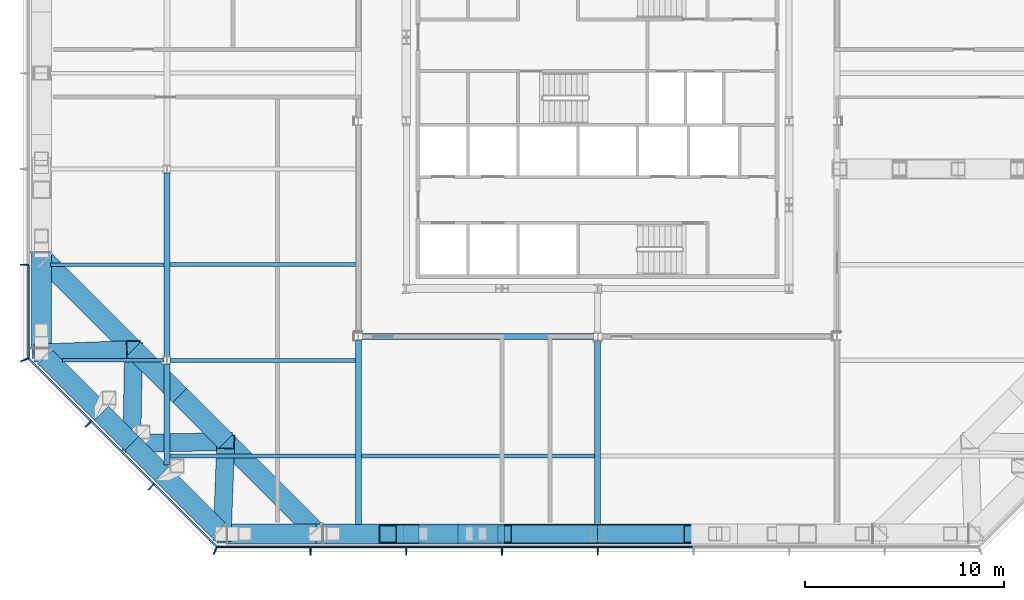
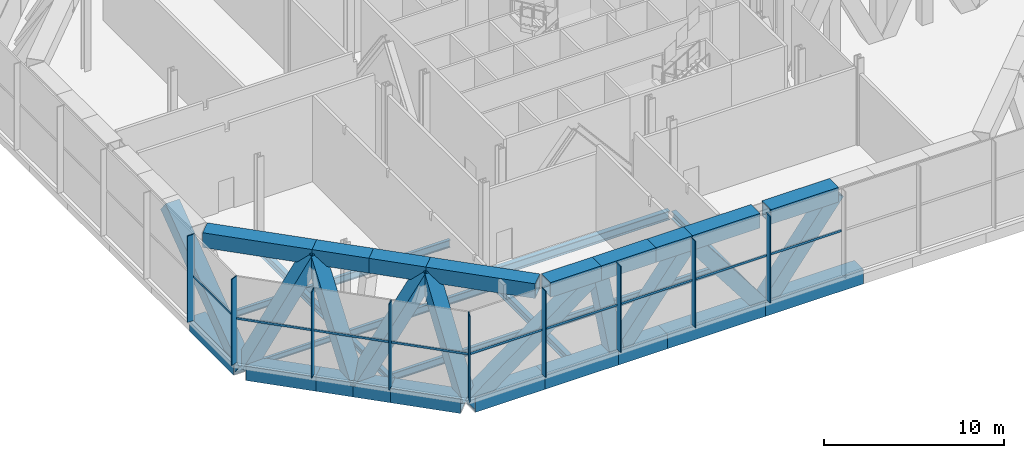
# One storey, part 3 of 17: 40 beams, 18 members, 3 elements without a shape of their own.
"""IFC4 building model written with IfcOpenShell, lengths in metres."""

import ifcopenshell
import ifcopenshell.guid

model = None  # the IFC model being written
_history = None  # IfcOwnerHistory: only IFC2X3 demands one
_inside = {}  # id of a spatial element -> (the spatial element, [elements in it])
_under = {}  # id of a project, library or spatial element -> (it, [spatial elements below it])
_declared = {}  # id of a project -> (the project, [libraries it declares])
_typed = {}  # id of a type object -> (the type object, [elements of that type])
_made_of = {}  # id of a material, layer set ... -> (it, [elements and type objects made of it])


def new_model(schema):
    """Start an empty IFC model of exactly this schema.

    Asked for "IFC4X3", IfcOpenShell would pick the latest addendum, in which some entities
    have other attributes; the version numbers below select the first issue.
    IFC2X3 requires an IfcOwnerHistory on every rooted entity: one is made here for all.
    """
    global model, _history
    if schema == "IFC4X3":
        model = ifcopenshell.file(schema_version=(4, 3, 0, 0))
    else:
        model = ifcopenshell.file(schema=schema)
    _inside.clear()
    _under.clear()
    _declared.clear()
    _typed.clear()
    _made_of.clear()
    _history = None
    if model.schema == "IFC2X3":
        org = make("IfcOrganization", Name="unknown")
        user = make(
            "IfcPersonAndOrganization",
            ThePerson=make("IfcPerson", FamilyName="unknown"),
            TheOrganization=org,
        )
        app = make(
            "IfcApplication",
            ApplicationDeveloper=org,
            Version="unknown",
            ApplicationFullName="unknown",
            ApplicationIdentifier="unknown",
        )
        _history = make(
            "IfcOwnerHistory",
            OwningUser=user,
            OwningApplication=app,
            ChangeAction="ADDED",
            CreationDate=0,
        )
    return model


def make(cls, **values):
    """One entity of the class cls with the attributes given. An attribute that is None is left unset."""
    return model.create_entity(
        cls, **{name: value for name, value in values.items() if value is not None}
    )


def rooted(cls, **values):
    """An entity with a GlobalId (a new one), such as an element, a storey or a relation."""
    return make(cls, GlobalId=ifcopenshell.guid.new(), OwnerHistory=_history, **values)


def si_unit(unit_type, name, prefix=None):
    """IfcSIUnit, for example si_unit("LENGTHUNIT", "METRE", prefix="MILLI")."""
    return make("IfcSIUnit", UnitType=unit_type, Prefix=prefix, Name=name)


def assignment(units):
    """IfcUnitAssignment: the units of a project."""
    return None if units is None else make("IfcUnitAssignment", Units=units)


def point(xyz):
    """IfcCartesianPoint."""
    return None if xyz is None else make("IfcCartesianPoint", Coordinates=xyz)


def direction(xyz):
    """IfcDirection."""
    return None if xyz is None else make("IfcDirection", DirectionRatios=xyz)


def frame(location, z_axis=None, x_axis=None):
    """IfcAxis2Placement3D, a coordinate frame: its origin and axes. An axis left out is left unset."""
    return make(
        "IfcAxis2Placement3D",
        Location=point(location),
        Axis=direction(z_axis),
        RefDirection=direction(x_axis),
    )


def frame_2d(location, x_axis=None):
    """IfcAxis2Placement2D, a coordinate frame in the plane: its origin and x axis."""
    return make(
        "IfcAxis2Placement2D", Location=point(location), RefDirection=direction(x_axis)
    )


def origin():
    """The frame at (0, 0, 0) with its axes left unset."""
    return frame((0.0, 0.0, 0.0))


def origin_2d():
    """The frame at (0, 0) in the plane with its x axis left unset."""
    return frame_2d((0.0, 0.0))


def place(relative_to, where):
    """IfcLocalPlacement: puts the frame where relative to a parent placement (None: the world)."""
    return make(
        "IfcLocalPlacement", PlacementRelTo=relative_to, RelativePlacement=where
    )


def context(
    kind, dimensions, precision=None, world=None, true_north=None, identifier=None
):
    """IfcGeometricRepresentationContext, for example the 3D "Model" context."""
    return make(
        "IfcGeometricRepresentationContext",
        ContextIdentifier=identifier,
        ContextType=kind,
        CoordinateSpaceDimension=dimensions,
        Precision=precision,
        WorldCoordinateSystem=world,
        TrueNorth=true_north,
    )


def subcontext(parent, identifier, kind, view, scale=None):
    """IfcGeometricRepresentationSubContext, for example "Body" below "Model"."""
    return make(
        "IfcGeometricRepresentationSubContext",
        ContextIdentifier=identifier,
        ContextType=kind,
        ParentContext=parent,
        TargetScale=scale,
        TargetView=view,
    )


def project(units=None, contexts=None):
    """IfcProject with its units and contexts."""
    return rooted(
        "IfcProject",
        Name="project",
        RepresentationContexts=contexts,
        UnitsInContext=assignment(units),
    )


def spatial(cls, under=None, at=None, **own):
    """A site, building, storey or space (cls), placed at a placement, below another one or the project."""
    s = rooted(cls, ObjectPlacement=at, **own)
    if under is not None:
        _under.setdefault(under.id(), (under, []))[1].append(s)
    return s


def profile(cls, at=None, kind="AREA", **sizes):
    """A parametric profile (cls). Its sizes go by their IFC names, for example OverallWidth=200.0."""
    return make(cls, ProfileType=kind, Position=at, **sizes)


def rectangle(**sizes):
    """IfcRectangleProfileDef."""
    return profile("IfcRectangleProfileDef", **sizes)


def hollow_rectangle(**sizes):
    """IfcRectangleHollowProfileDef."""
    return profile("IfcRectangleHollowProfileDef", **sizes)


def i_section(**sizes):
    """IfcIShapeProfileDef."""
    return profile("IfcIShapeProfileDef", **sizes)


def extrude(swept, where, along, depth):
    """IfcExtrudedAreaSolid: the profile swept, set in the frame where, extruded along a direction by depth."""
    return make(
        "IfcExtrudedAreaSolid",
        SweptArea=swept,
        Position=where,
        ExtrudedDirection=direction(along),
        Depth=depth,
    )


def shape(context_of_items, identifier, shape_type, items):
    """IfcShapeRepresentation: the items that make up one representation, for example the "Body"."""
    return make(
        "IfcShapeRepresentation",
        ContextOfItems=context_of_items,
        RepresentationIdentifier=identifier,
        RepresentationType=shape_type,
        Items=items,
    )


def material(Name=None, Category=None):
    """IfcMaterial."""
    return make("IfcMaterial", Name=Name, Category=Category)


def material_profile(
    of_material, cross_section, Name=None, Category=None, Priority=None
):
    """IfcMaterialProfile: a cross section and its material."""
    return make(
        "IfcMaterialProfile",
        Name=Name,
        Material=of_material,
        Profile=cross_section,
        Priority=Priority,
        Category=Category,
    )


def profile_set(profiles, Name=None, composite=None):
    """IfcMaterialProfileSet."""
    return make(
        "IfcMaterialProfileSet",
        Name=Name,
        MaterialProfiles=profiles,
        CompositeProfile=composite,
    )


def made_of(thing, what):
    """Note that an element or type object is made of a material, layer set ...; save() writes the relation."""
    if what is not None:
        _made_of.setdefault(what.id(), (what, []))[1].append(thing)
    return thing


def type_object(cls, material=None, **own):
    """A type object (cls), such as IfcWallType, which elements share."""
    return made_of(rooted(cls, **own), material)


def element(
    cls,
    number,
    at=None,
    inside=None,
    cuts=None,
    type_object=None,
    material=None,
    context=None,
    identifier="Body",
    shape_type=None,
    held_by="IfcProductDefinitionShape",
    body=None,
    shapes=None,
    **own,
):
    """One element of the class cls, such as IfcWall. Its Tag is "e" and its number.

    at: its placement. inside: the storey or other place that contains it. cuts: it is an
    opening in that element (IfcRelVoidsElement). A single representation is given by context,
    identifier, shape_type and body (its items); several are given by shapes. held_by: the class
    of the entity that holds the representations. save() writes the other relations.
    """
    e = rooted(cls, Tag="e%d" % number, ObjectPlacement=at, **own)
    if body is not None:
        shapes = [shape(context, identifier, shape_type, body)]
    if shapes is not None:
        e.Representation = make(held_by, Representations=shapes)
    if inside is not None:
        _inside.setdefault(inside.id(), (inside, []))[1].append(e)
    if cuts is not None:
        rooted(
            "IfcRelVoidsElement", RelatingBuildingElement=cuts, RelatedOpeningElement=e
        )
    if type_object is not None:
        _typed.setdefault(type_object.id(), (type_object, []))[1].append(e)
    return made_of(e, material)


def aggregate(whole, parts):
    """IfcRelAggregates: a whole, such as a stair, and the parts it consists of."""
    return rooted("IfcRelAggregates", RelatingObject=whole, RelatedObjects=parts)


def save(model, path):
    """Write the relations noted so far, then the file.

    IfcRelAggregates (storeys below a building ...), IfcRelContainedInSpatialStructure (elements
    in a storey), IfcRelDefinesByType, IfcRelAssociatesMaterial and IfcRelDeclares: one each for
    every whole, place, type object, material and project.
    """
    for whole, parts in _under.values():
        aggregate(whole, parts)
    for where, things in _inside.values():
        rooted(
            "IfcRelContainedInSpatialStructure",
            RelatedElements=things,
            RelatingStructure=where,
        )
    for kind, things in _typed.values():
        rooted("IfcRelDefinesByType", RelatedObjects=things, RelatingType=kind)
    for what, things in _made_of.values():
        rooted("IfcRelAssociatesMaterial", RelatedObjects=things, RelatingMaterial=what)
    for by, libraries in _declared.values():
        rooted("IfcRelDeclares", RelatingContext=by, RelatedDefinitions=libraries)
    model.write(path)


model = new_model("IFC4")

# Units and contexts
model_context = context("Model", 3, precision=1e-05, world=origin(), true_north=direction((0.0, 1.0)))
body_context = subcontext(model_context, "Body", "Model", "MODEL_VIEW")
ifc_project = project(units=[si_unit("LENGTHUNIT", "METRE"), si_unit("AREAUNIT", "SQUARE_METRE"), si_unit("VOLUMEUNIT", "CUBIC_METRE"), si_unit("PLANEANGLEUNIT", "RADIAN"), si_unit("MASSUNIT", "GRAM", prefix="KILO")], contexts=[model_context])

# Site, building, storey
site_placement = place(None, origin())
site = spatial("IfcSite", under=ifc_project, at=site_placement, CompositionType="ELEMENT")
building_placement = place(site_placement, origin())
building = spatial("IfcBuilding", under=site, at=building_placement, Name="Cairn Pilgrim Tower", CompositionType="ELEMENT")
storey_placement = place(building_placement, frame((0.0, 0.0, 119.39990234375)))
storey = spatial("IfcBuildingStorey", under=building, at=storey_placement, Name="L29", CompositionType="ELEMENT", Elevation=119.39990234375)

# Beams
ifc_material_1 = material(Name="Structural steel S460M", Category="steel")
ifc_material_profile_1 = material_profile(ifc_material_1, hollow_rectangle(XDim=1.0, YDim=1.0, WallThickness=0.06005859375, at=origin_2d()), Name="BOX 1000x1000x60")
ifc_profile_set_1 = profile_set([ifc_material_profile_1], Name="Structural steel S460M")
beam_type_1 = type_object("IfcBeamType", Name="BOX 1000x1000x60 CHORD", PredefinedType="USERDEFINED", material=ifc_profile_set_1)
beam_1_placement = place(storey_placement, frame((-11.3701171875, -18.300048828125, -0.75), z_axis=(1.0, 0.0, 0.0), x_axis=(0.0, 1.0, 0.0)))
element("IfcBeam", 1, at=beam_1_placement, inside=storey, type_object=beam_type_1, Name="BT29-S-BC1", ObjectType="CHORD", PredefinedType="USERDEFINED", context=body_context, shape_type="SweptSolid", body=[
    extrude(hollow_rectangle(XDim=1.0, YDim=1.0, WallThickness=0.06005859375, at=origin_2d()), origin(), (0.0, 0.0, 1.0), 4.44970703125),
])
beam_2_placement = place(storey_placement, frame((-6.570068359375, -18.300048828125, 5.35009765625), z_axis=(1.0, 0.0, 0.0), x_axis=(0.0, 1.0, 0.0)))
element("IfcBeam", 2, at=beam_2_placement, inside=storey, type_object=beam_type_1, Name="BT29-S-TC1", ObjectType="CHORD", PredefinedType="USERDEFINED", context=body_context, shape_type="SweptSolid", body=[
    extrude(hollow_rectangle(XDim=1.0, YDim=1.0, WallThickness=0.06005859375, at=origin_2d()), origin(), (0.0, 0.0, 1.0), 3.249755859375),
])
beam_3_placement = place(storey_placement, frame((-6.92041015625, -18.300048828125, -0.75), z_axis=(1.0, 0.0, 0.0), x_axis=(0.0, 1.0, 0.0)))
element("IfcBeam", 3, at=beam_3_placement, inside=storey, type_object=beam_type_1, Name="BT29-S-BC2", ObjectType="CHORD", PredefinedType="USERDEFINED", context=body_context, shape_type="SweptSolid", body=[
    extrude(hollow_rectangle(XDim=1.0, YDim=1.0, WallThickness=0.06005859375, at=origin_2d()), origin(), (0.0, 0.0, 1.0), 4.706787109375),
])
beam_4_placement = place(storey_placement, frame((-3.3203125, -18.300048828125, 5.35009765625), z_axis=(1.0, 0.0, 0.0), x_axis=(0.0, 1.0, 0.0)))
element("IfcBeam", 4, at=beam_4_placement, inside=storey, type_object=beam_type_1, Name="BT29-S-TC2", ObjectType="CHORD", PredefinedType="USERDEFINED", context=body_context, shape_type="SweptSolid", body=[
    extrude(hollow_rectangle(XDim=1.0, YDim=1.0, WallThickness=0.06005859375, at=origin_2d()), origin(), (0.0, 0.0, 1.0), 3.506591796875),
])
beam_5_placement = place(storey_placement, frame((-2.213623046875, -18.300048828125, -0.75), z_axis=(1.0, 0.0, 0.0), x_axis=(0.0, 1.0, 0.0)))
element("IfcBeam", 5, at=beam_5_placement, inside=storey, type_object=beam_type_1, Name="BT29-S-BC3", ObjectType="CHORD", PredefinedType="USERDEFINED", context=body_context, shape_type="SweptSolid", body=[
    extrude(hollow_rectangle(XDim=1.0, YDim=1.0, WallThickness=0.06005859375, at=origin_2d()), origin(), (0.0, 0.0, 1.0), 3.137939453125),
])
beam_6_placement = place(storey_placement, frame((0.186279296875, -18.300048828125, 5.35009765625), z_axis=(1.0, 0.0, 0.0), x_axis=(0.0, 1.0, 0.0)))
element("IfcBeam", 6, at=beam_6_placement, inside=storey, type_object=beam_type_1, Name="BT29-S-TC3", ObjectType="CHORD", PredefinedType="USERDEFINED", context=body_context, shape_type="SweptSolid", body=[
    extrude(hollow_rectangle(XDim=1.0, YDim=1.0, WallThickness=0.06005859375, at=origin_2d()), origin(), (0.0, 0.0, 1.0), 2.338134765625),
])
beam_7_placement = place(storey_placement, frame((0.92431640625, -18.300048828125, -0.75), z_axis=(1.0, 0.0, 0.0), x_axis=(0.0, 1.0, 0.0)))
element("IfcBeam", 7, at=beam_7_placement, inside=storey, type_object=beam_type_1, Name="BT29-S-BC4", ObjectType="CHORD", PredefinedType="USERDEFINED", context=body_context, shape_type="SweptSolid", body=[
    extrude(hollow_rectangle(XDim=1.0, YDim=1.0, WallThickness=0.06005859375, at=origin_2d()), origin(), (0.0, 0.0, 1.0), 6.275634765625),
])
beam_8_placement = place(storey_placement, frame((2.5244140625, -18.300048828125, 5.35009765625), z_axis=(1.0, 0.0, 0.0), x_axis=(0.0, 1.0, 0.0)))
element("IfcBeam", 8, at=beam_8_placement, inside=storey, type_object=beam_type_1, Name="BT29-S-TC4", ObjectType="CHORD", PredefinedType="USERDEFINED", context=body_context, shape_type="SweptSolid", body=[
    extrude(hollow_rectangle(XDim=1.0, YDim=1.0, WallThickness=0.06005859375, at=origin_2d()), origin(), (0.0, 0.0, 1.0), 4.32568359375),
])
beam_9_placement = place(storey_placement, frame((7.199951171875, -18.300048828125, -0.75), z_axis=(1.0, 0.0, 0.0), x_axis=(0.0, 1.0, 0.0)))
element("IfcBeam", 9, at=beam_9_placement, inside=storey, type_object=beam_type_1, Name="BT29-S-BC5", ObjectType="CHORD", PredefinedType="USERDEFINED", context=body_context, shape_type="SweptSolid", body=[
    extrude(hollow_rectangle(XDim=1.0, YDim=1.0, WallThickness=0.06005859375, at=origin_2d()), origin(), (0.0, 0.0, 1.0), 6.275634765625),
])
beam_10_placement = place(storey_placement, frame((7.550048828125, -18.300048828125, 5.35009765625), z_axis=(1.0, 0.0, 0.0), x_axis=(0.0, 1.0, 0.0)))
element("IfcBeam", 10, at=beam_10_placement, inside=storey, type_object=beam_type_1, Name="BT29-S-TC5", ObjectType="CHORD", PredefinedType="USERDEFINED", context=body_context, shape_type="SweptSolid", body=[
    extrude(hollow_rectangle(XDim=1.0, YDim=1.0, WallThickness=0.06005859375, at=origin_2d()), origin(), (0.0, 0.0, 1.0), 4.32568359375),
])
beam_11_placement = place(storey_placement, frame((-20.699951171875, -4.083984375, -0.75), z_axis=(0.0, -1.0, 0.0), x_axis=(1.0, 0.0, 0.0)))
element("IfcBeam", 11, at=beam_11_placement, inside=storey, type_object=beam_type_1, Name="BT29-W-BC6", ObjectType="CHORD", PredefinedType="USERDEFINED", context=body_context, shape_type="SweptSolid", body=[
    extrude(hollow_rectangle(XDim=1.0, YDim=1.0, WallThickness=0.06005859375, at=origin_2d()), origin(), (0.0, 0.0, 1.0), 4.88623046875),
])
beam_12_placement = place(storey_placement, frame((-20.518310546875, -9.408935546875, -0.75), z_axis=(0.707106781187, -0.707106781187, 0.0), x_axis=(0.707106781187, 0.707106781187, 0.0)))
element("IfcBeam", 12, at=beam_12_placement, inside=storey, type_object=beam_type_1, Name="BT29-SW-BC1", ObjectType="CHORD", PredefinedType="USERDEFINED", context=body_context, shape_type="SweptSolid", body=[
    extrude(hollow_rectangle(XDim=1.0, YDim=1.0, WallThickness=0.06005859375, at=origin_2d()), origin(), (0.0, 0.0, 1.0), 4.02001953125),
])
beam_13_placement = place(storey_placement, frame((-20.518310546875, -4.60888671875, 5.35009765625), z_axis=(0.707106781187, -0.707106781187, 0.0), x_axis=(0.707106781187, 0.707106781187, 0.0)))
element("IfcBeam", 13, at=beam_13_placement, inside=storey, type_object=beam_type_1, Name="BT29-SW-TC1", ObjectType="CHORD", PredefinedType="USERDEFINED", context=body_context, shape_type="SweptSolid", body=[
    extrude(hollow_rectangle(XDim=1.0, YDim=1.0, WallThickness=0.06005859375, at=origin_2d()), origin(), (0.0, 0.0, 1.0), 6.28271484375),
])
beam_14_placement = place(storey_placement, frame((-17.67578125, -12.25146484375, -0.75), z_axis=(0.707106781187, -0.707106781187, 0.0), x_axis=(0.707106781187, 0.707106781187, 0.0)))
element("IfcBeam", 14, at=beam_14_placement, inside=storey, type_object=beam_type_1, Name="BT29-SW-BC2", ObjectType="CHORD", PredefinedType="USERDEFINED", context=body_context, shape_type="SweptSolid", body=[
    extrude(hollow_rectangle(XDim=1.0, YDim=1.0, WallThickness=0.06005859375, at=origin_2d()), origin(), (0.0, 0.0, 1.0), 2.138671875),
])
beam_15_placement = place(storey_placement, frame((-16.07568359375, -9.051513671875, 5.35009765625), z_axis=(0.707106781187, -0.707106781187, 0.0), x_axis=(0.707106781187, 0.707106781187, 0.0)))
element("IfcBeam", 15, at=beam_15_placement, inside=storey, type_object=beam_type_1, Name="BT29-SW-TC2", ObjectType="CHORD", PredefinedType="USERDEFINED", context=body_context, shape_type="SweptSolid", body=[
    extrude(hollow_rectangle(XDim=1.0, YDim=1.0, WallThickness=0.06005859375, at=origin_2d()), origin(), (0.0, 0.0, 1.0), 3.269775390625),
])
beam_16_placement = place(storey_placement, frame((-16.16357421875, -13.763671875, -0.75), z_axis=(0.707106781187, -0.707106781187, 0.0), x_axis=(0.707106781187, 0.707106781187, 0.0)))
element("IfcBeam", 16, at=beam_16_placement, inside=storey, type_object=beam_type_1, Name="BT29-SW-BC3", ObjectType="CHORD", PredefinedType="USERDEFINED", context=body_context, shape_type="SweptSolid", body=[
    extrude(hollow_rectangle(XDim=1.0, YDim=1.0, WallThickness=0.06005859375, at=origin_2d()), origin(), (0.0, 0.0, 1.0), 2.13818359375),
])
beam_17_placement = place(storey_placement, frame((-13.763671875, -11.363525390625, 5.35009765625), z_axis=(0.707106781187, -0.707106781187, 0.0), x_axis=(0.707106781187, 0.707106781187, 0.0)))
element("IfcBeam", 17, at=beam_17_placement, inside=storey, type_object=beam_type_1, Name="BT29-SW-TC3", ObjectType="CHORD", PredefinedType="USERDEFINED", context=body_context, shape_type="SweptSolid", body=[
    extrude(hollow_rectangle(XDim=1.0, YDim=1.0, WallThickness=0.06005859375, at=origin_2d()), origin(), (0.0, 0.0, 1.0), 3.27001953125),
])
beam_18_placement = place(storey_placement, frame((-14.651611328125, -15.275634765625, -0.75), z_axis=(0.707106781187, -0.707106781187, 0.0), x_axis=(0.707106781187, 0.707106781187, 0.0)))
element("IfcBeam", 18, at=beam_18_placement, inside=storey, type_object=beam_type_1, Name="BT29-SW-BC4", ObjectType="CHORD", PredefinedType="USERDEFINED", context=body_context, shape_type="SweptSolid", body=[
    extrude(hollow_rectangle(XDim=1.0, YDim=1.0, WallThickness=0.06005859375, at=origin_2d()), origin(), (0.0, 0.0, 1.0), 4.02001953125),
])
beam_19_placement = place(storey_placement, frame((-11.451416015625, -13.67578125, 5.35009765625), z_axis=(0.707106781187, -0.707106781187, 0.0), x_axis=(0.707106781187, 0.707106781187, 0.0)))
element("IfcBeam", 19, at=beam_19_placement, inside=storey, type_object=beam_type_1, Name="BT29-SW-TC4", ObjectType="CHORD", PredefinedType="USERDEFINED", context=body_context, shape_type="SweptSolid", body=[
    extrude(hollow_rectangle(XDim=1.0, YDim=1.0, WallThickness=0.06005859375, at=origin_2d()), origin(), (0.0, 0.0, 1.0), 6.282470703125),
])
ifc_material_profile_2 = material_profile(ifc_material_1, hollow_rectangle(XDim=0.89990234375, YDim=0.89990234375, WallThickness=0.050048828125, at=origin_2d()), Name="BOX 900x900x50")
ifc_profile_set_2 = profile_set([ifc_material_profile_2], Name="Structural steel S460M")
beam_type_2 = type_object("IfcBeamType", Name="BOX 900x900x50 DIAGONAL", PredefinedType="USERDEFINED", material=ifc_profile_set_2)
beam_20_placement = place(storey_placement, frame((-11.627197265625, -18.300048828125, -0.75), z_axis=(0.806016966993, 0.0, 0.591892430192), x_axis=(0.0, 1.0, 0.0)))
element("IfcBeam", 20, at=beam_20_placement, inside=storey, type_object=beam_type_2, Name="BT29-S-D1", ObjectType="DIAGONAL", PredefinedType="USERDEFINED", context=body_context, shape_type="SweptSolid", body=[
    extrude(hollow_rectangle(XDim=0.89990234375, YDim=0.89990234375, WallThickness=0.050048828125, at=origin_2d()), origin(), (0.0, 0.0, 1.0), 10.30615234375),
])
beam_21_placement = place(storey_placement, frame((-3.3203125, -18.300048828125, 5.35009765625), z_axis=(0.178507695959, 0.0, -0.983938515601), x_axis=(0.0, 1.0, 0.0)))
element("IfcBeam", 21, at=beam_21_placement, inside=storey, type_object=beam_type_2, Name="BT29-S-D2", ObjectType="DIAGONAL", PredefinedType="USERDEFINED", context=body_context, shape_type="SweptSolid", body=[
    extrude(hollow_rectangle(XDim=0.89990234375, YDim=0.89990234375, WallThickness=0.050048828125, at=origin_2d()), origin(), (0.0, 0.0, 1.0), 6.19970703125),
])
beam_22_placement = place(storey_placement, frame((-2.213623046875, -18.300048828125, -0.75), z_axis=(0.61341748705, 0.0, 0.78975881545), x_axis=(0.0, 1.0, 0.0)))
element("IfcBeam", 22, at=beam_22_placement, inside=storey, type_object=beam_type_2, Name="BT29-S-D3", ObjectType="DIAGONAL", PredefinedType="USERDEFINED", context=body_context, shape_type="SweptSolid", body=[
    extrude(hollow_rectangle(XDim=0.89990234375, YDim=0.89990234375, WallThickness=0.050048828125, at=origin_2d()), origin(), (0.0, 0.0, 1.0), 7.72412109375),
])
beam_23_placement = place(storey_placement, frame((2.5244140625, -18.300048828125, 5.35009765625), z_axis=(0.608332842725, 0.0, -0.793682022262), x_axis=(0.0, 1.0, 0.0)))
element("IfcBeam", 23, at=beam_23_placement, inside=storey, type_object=beam_type_2, Name="BT29-S-D4", ObjectType="DIAGONAL", PredefinedType="USERDEFINED", context=body_context, shape_type="SweptSolid", body=[
    extrude(hollow_rectangle(XDim=0.89990234375, YDim=0.89990234375, WallThickness=0.050048828125, at=origin_2d()), origin(), (0.0, 0.0, 1.0), 7.685791015625),
])
beam_24_placement = place(storey_placement, frame((7.199951171875, -18.300048828125, -0.75), z_axis=(0.608352851952, 0.0, 0.793666685405), x_axis=(0.0, 1.0, 0.0)))
element("IfcBeam", 24, at=beam_24_placement, inside=storey, type_object=beam_type_2, Name="BT29-S-D5", ObjectType="DIAGONAL", PredefinedType="USERDEFINED", context=body_context, shape_type="SweptSolid", body=[
    extrude(hollow_rectangle(XDim=0.89990234375, YDim=0.89990234375, WallThickness=0.050048828125, at=origin_2d()), origin(), (0.0, 0.0, 1.0), 7.68603515625),
])
beam_25_placement = place(storey_placement, frame((-20.699951171875, -1.0439453125, 5.35009765625), z_axis=(0.0, -0.801756074921, -0.597651400339), x_axis=(1.0, 0.0, 0.0)))
element("IfcBeam", 25, at=beam_25_placement, inside=storey, type_object=beam_type_2, Name="BT29-W-D6", ObjectType="DIAGONAL", PredefinedType="USERDEFINED", context=body_context, shape_type="SweptSolid", body=[
    extrude(hollow_rectangle(XDim=0.89990234375, YDim=0.89990234375, WallThickness=0.050048828125, at=origin_2d()), origin(), (0.0, 0.0, 1.0), 10.206787109375),
])
beam_26_placement = place(storey_placement, frame((-20.699951171875, -9.227294921875, -0.75), z_axis=(0.603945907123, 0.022957660796, 0.796694600886), x_axis=(-0.037985342561, 0.999278296447, 0.0)))
element("IfcBeam", 26, at=beam_26_placement, inside=storey, type_object=beam_type_2, Name="BT29-SW-D1", ObjectType="DIAGONAL", PredefinedType="USERDEFINED", context=body_context, shape_type="SweptSolid", body=[
    extrude(hollow_rectangle(XDim=0.89990234375, YDim=0.89990234375, WallThickness=0.050048828125, at=origin_2d()), origin(), (0.0, 0.0, 1.0), 7.65673828125),
])
for number, where, z_axis, x_axis, name in (
    (27, (-16.07568359375, -9.051513671875, 5.35009765625), (-0.011401552279, -0.611281557072, -0.791331070152), (0.999826098997, -0.018648639741, 0.0), "BT29-SW-D2"),
    (28, (-16.16357421875, -13.763671875, -0.75), (0.611281557072, 0.011401552279, 0.791331070152), (-0.018648639741, 0.999826098997, 0.0), "BT29-SW-D3"),
):
    element("IfcBeam", number, at=place(storey_placement, frame(where, z_axis=z_axis, x_axis=x_axis)), inside=storey, type_object=beam_type_2, Name=name, ObjectType="DIAGONAL", PredefinedType="USERDEFINED", context=body_context, shape_type="SweptSolid", body=[
        extrude(hollow_rectangle(XDim=0.89990234375, YDim=0.89990234375, WallThickness=0.050048828125, at=origin_2d()), origin(), (0.0, 0.0, 1.0), 7.708740234375),
    ])
beam_27_placement = place(storey_placement, frame((-11.451416015625, -13.67578125, 5.35009765625), z_axis=(-0.022957660796, -0.603945907123, -0.796694600886), x_axis=(0.999278296447, -0.037985342561, 0.0)))
element("IfcBeam", 29, at=beam_27_placement, inside=storey, type_object=beam_type_2, Name="BT29-SW-D4", ObjectType="DIAGONAL", PredefinedType="USERDEFINED", context=body_context, shape_type="SweptSolid", body=[
    extrude(hollow_rectangle(XDim=0.89990234375, YDim=0.89990234375, WallThickness=0.050048828125, at=origin_2d()), origin(), (0.0, 0.0, 1.0), 7.65673828125),
])

# Curtain wall, members
ifc_material_2 = material(Name="Aluminium alloy 6063-T6 bronze anodised with Bronze tinted laminated low-E glass 8+16+8.8", Category="aluminium")
curtain_wall_type = type_object("IfcCurtainWallType", Name="PLANT LOUVRE CURTAIN WALL", PredefinedType="NOTDEFINED", material=ifc_material_2)
curtain_wall_1_placement = place(storey_placement, origin())
curtain_wall_1 = element("IfcCurtainWall", 30, at=curtain_wall_1_placement, inside=storey, type_object=curtain_wall_type, Name="Plant Louvre Curtain Wall S", PredefinedType="NOTDEFINED")
ifc_material_3 = material(Name="Aluminium alloy 6063-T6 bronze anodised", Category="aluminium")
ifc_material_profile_3 = material_profile(ifc_material_3, rectangle(XDim=0.449951171875, YDim=0.06005859375, at=origin_2d()), Name="FIN MULLION 60x450 BRONZE")
ifc_profile_set_3 = profile_set([ifc_material_profile_3], Name="Aluminium alloy 6063-T6 bronze anodised")
member_type_1 = type_object("IfcMemberType", Name="FIN MULLION 60x450 BRONZE", PredefinedType="MULLION", material=ifc_profile_set_3)
member_1_placement = place(storey_placement, frame((-11.97119140625, -19.130126953125, 0.0), z_axis=(0.0, 0.0, 1.0), x_axis=(-0.382683432365, -0.923879532511, 0.0)))
member_1 = element("IfcMember", 31, at=member_1_placement, type_object=member_type_1, Name="Fin mullion S1", PredefinedType="MULLION", context=body_context, shape_type="SweptSolid", body=[
    extrude(rectangle(XDim=0.449951171875, YDim=0.06005859375, at=origin_2d()), origin(), (0.0, 0.0, 1.0), 5.85009765625),
])
member_2_placement = place(storey_placement, frame((-7.199951171875, -19.14501953125, 0.0), z_axis=(0.0, 0.0, 1.0), x_axis=(0.0, -1.0, 0.0)))
member_2 = element("IfcMember", 32, at=member_2_placement, type_object=member_type_1, Name="Fin mullion S2", PredefinedType="MULLION", context=body_context, shape_type="SweptSolid", body=[
    extrude(rectangle(XDim=0.449951171875, YDim=0.06005859375, at=origin_2d()), origin(), (0.0, 0.0, 1.0), 5.85009765625),
])
member_3_placement = place(storey_placement, frame((-2.39990234375, -19.14501953125, 0.0), z_axis=(0.0, 0.0, 1.0), x_axis=(0.0, -1.0, 0.0)))
member_3 = element("IfcMember", 33, at=member_3_placement, type_object=member_type_1, Name="Fin mullion S3", PredefinedType="MULLION", context=body_context, shape_type="SweptSolid", body=[
    extrude(rectangle(XDim=0.449951171875, YDim=0.06005859375, at=origin_2d()), origin(), (0.0, 0.0, 1.0), 5.85009765625),
])
member_4_placement = place(storey_placement, frame((2.39990234375, -19.14501953125, 0.0), z_axis=(0.0, 0.0, 1.0), x_axis=(0.0, -1.0, 0.0)))
member_4 = element("IfcMember", 34, at=member_4_placement, type_object=member_type_1, Name="Fin mullion S4", PredefinedType="MULLION", context=body_context, shape_type="SweptSolid", body=[
    extrude(rectangle(XDim=0.449951171875, YDim=0.06005859375, at=origin_2d()), origin(), (0.0, 0.0, 1.0), 5.85009765625),
])
member_5_placement = place(storey_placement, frame((7.199951171875, -19.14501953125, 0.0), z_axis=(0.0, 0.0, 1.0), x_axis=(0.0, -1.0, 0.0)))
member_5 = element("IfcMember", 35, at=member_5_placement, type_object=member_type_1, Name="Fin mullion S5", PredefinedType="MULLION", context=body_context, shape_type="SweptSolid", body=[
    extrude(rectangle(XDim=0.449951171875, YDim=0.06005859375, at=origin_2d()), origin(), (0.0, 0.0, 1.0), 5.85009765625),
])

# Curtain wall, member
curtain_wall_2_placement = place(storey_placement, origin())
curtain_wall_2 = element("IfcCurtainWall", 36, at=curtain_wall_2_placement, inside=storey, type_object=curtain_wall_type, Name="Plant Louvre Curtain Wall W", PredefinedType="NOTDEFINED")
member_6_placement = place(storey_placement, frame((-21.544921875, -4.800048828125, 0.0), z_axis=(0.0, 0.0, 1.0), x_axis=(-1.0, 0.0, 0.0)))
member_6 = element("IfcMember", 37, at=member_6_placement, type_object=member_type_1, Name="Fin mullion W6", PredefinedType="MULLION", context=body_context, shape_type="SweptSolid", body=[
    extrude(rectangle(XDim=0.449951171875, YDim=0.06005859375, at=origin_2d()), origin(), (0.0, 0.0, 1.0), 5.85009765625),
])

# Curtain wall, members
curtain_wall_3_placement = place(storey_placement, origin())
curtain_wall_3 = element("IfcCurtainWall", 38, at=curtain_wall_3_placement, inside=storey, type_object=curtain_wall_type, Name="Plant Louvre Curtain Wall SW", PredefinedType="NOTDEFINED")
member_7_placement = place(storey_placement, frame((-21.5302734375, -9.571044921875, 0.0), z_axis=(0.0, 0.0, 1.0), x_axis=(-0.923879532511, -0.382683432365, 0.0)))
member_7 = element("IfcMember", 39, at=member_7_placement, type_object=member_type_1, Name="Fin mullion SW1", PredefinedType="MULLION", context=body_context, shape_type="SweptSolid", body=[
    extrude(rectangle(XDim=0.449951171875, YDim=0.06005859375, at=origin_2d()), origin(), (0.0, 0.0, 1.0), 5.85009765625),
])
member_8_placement = place(storey_placement, frame((-18.336669921875, -12.785400390625, 0.0), z_axis=(0.0, 0.0, 1.0), x_axis=(-0.707106781187, -0.707106781187, 0.0)))
member_8 = element("IfcMember", 40, at=member_8_placement, type_object=member_type_1, Name="Fin mullion SW2", PredefinedType="MULLION", context=body_context, shape_type="SweptSolid", body=[
    extrude(rectangle(XDim=0.449951171875, YDim=0.06005859375, at=origin_2d()), origin(), (0.0, 0.0, 1.0), 5.85009765625),
])
member_9_placement = place(storey_placement, frame((-15.185546875, -15.936767578125, 0.0), z_axis=(0.0, 0.0, 1.0), x_axis=(-0.707106781187, -0.707106781187, 0.0)))
member_9 = element("IfcMember", 41, at=member_9_placement, type_object=member_type_1, Name="Fin mullion SW3", PredefinedType="MULLION", context=body_context, shape_type="SweptSolid", body=[
    extrude(rectangle(XDim=0.449951171875, YDim=0.06005859375, at=origin_2d()), origin(), (0.0, 0.0, 1.0), 5.85009765625),
])

# Beams
ifc_material_4 = material(Name="Structural steel S355J2", Category="steel")
ifc_material_profile_4 = material_profile(ifc_material_4, i_section(OverallWidth=0.300048828125, OverallDepth=0.39990234375, WebThickness=0.013427734375, FlangeThickness=0.02392578125, FilletRadius=0.027099609375, at=origin_2d()), Name="HEB 400")
ifc_profile_set_4 = profile_set([ifc_material_profile_4], Name="Structural steel S355J2")
beam_type_3 = type_object("IfcBeamType", Name="HEB 400 GIRDER", PredefinedType="BEAM", material=ifc_profile_set_4)
beam_28_placement = place(storey_placement, frame((-14.39990234375, -14.85009765625, -0.449951171875), z_axis=(0.0, 1.0, 0.0), x_axis=(-1.0, 0.0, 0.0)))
element("IfcBeam", 42, at=beam_28_placement, inside=storey, type_object=beam_type_3, Name="PG1-1", PredefinedType="BEAM", context=body_context, shape_type="SweptSolid", body=[
    extrude(i_section(OverallWidth=0.300048828125, OverallDepth=0.39990234375, WebThickness=0.013427734375, FlangeThickness=0.02392578125, FilletRadius=0.027099609375, at=origin_2d()), origin(), (0.0, 0.0, 1.0), 5.050537109375),
])
ifc_material_profile_5 = material_profile(ifc_material_4, i_section(OverallWidth=0.300048828125, OverallDepth=0.5, WebThickness=0.014404296875, FlangeThickness=0.028076171875, FilletRadius=0.027099609375, at=origin_2d()), Name="HEB 500")
ifc_profile_set_5 = profile_set([ifc_material_profile_5], Name="Structural steel S355J2")
beam_type_4 = type_object("IfcBeamType", Name="HEB 500 GIRDER", PredefinedType="BEAM", material=ifc_profile_set_5)
beam_29_placement = place(storey_placement, frame((-14.39990234375, -9.400390625, -0.5), z_axis=(0.0, 1.0, 0.0), x_axis=(-1.0, 0.0, 0.0)))
element("IfcBeam", 43, at=beam_29_placement, inside=storey, type_object=beam_type_4, Name="PG1-2", PredefinedType="BEAM", context=body_context, shape_type="SweptSolid", body=[
    extrude(i_section(OverallWidth=0.300048828125, OverallDepth=0.5, WebThickness=0.014404296875, FlangeThickness=0.028076171875, FilletRadius=0.027099609375, at=origin_2d()), origin(), (0.0, 0.0, 1.0), 9.200927734375),
])
for number, where, z_axis, x_axis, name in (
    (44, (-4.800048828125, -17.830078125, -0.5), (0.0, 1.0, 0.0), (-1.0, 0.0, 0.0), "PG2-1"),
    (45, (7.199951171875, -17.830078125, -0.5), (0.0, 1.0, 0.0), (-1.0, 0.0, 0.0), "PG3-1"),
):
    element("IfcBeam", number, at=place(storey_placement, frame(where, z_axis=z_axis, x_axis=x_axis)), inside=storey, type_object=beam_type_4, Name=name, PredefinedType="BEAM", context=body_context, shape_type="SweptSolid", body=[
        extrude(i_section(OverallWidth=0.300048828125, OverallDepth=0.5, WebThickness=0.014404296875, FlangeThickness=0.028076171875, FilletRadius=0.027099609375, at=origin_2d()), origin(), (0.0, 0.0, 1.0), 9.2255859375),
    ])
ifc_material_profile_6 = material_profile(ifc_material_4, i_section(OverallWidth=0.300048828125, OverallDepth=0.60009765625, WebThickness=0.015380859375, FlangeThickness=0.030029296875, FilletRadius=0.027099609375, at=origin_2d()), Name="HEB 600")
ifc_profile_set_6 = profile_set([ifc_material_profile_6], Name="Structural steel S355J2")
beam_type_5 = type_object("IfcBeamType", Name="HEB 600 INNER GIRDER", PredefinedType="BEAM", material=ifc_profile_set_6)
beam_30_placement = place(storey_placement, frame((-4.595458984375, -8.39990234375, -0.5498046875), z_axis=(1.0, 0.0, 0.0), x_axis=(0.0, 1.0, 0.0)))
element("IfcBeam", 46, at=beam_30_placement, inside=storey, type_object=beam_type_5, Name="IG1-1", PredefinedType="BEAM", context=body_context, shape_type="SweptSolid", body=[
    extrude(i_section(OverallWidth=0.300048828125, OverallDepth=0.60009765625, WebThickness=0.015380859375, FlangeThickness=0.030029296875, FilletRadius=0.027099609375, at=origin_2d()), origin(), (0.0, 0.0, 1.0), 11.591064453125),
])
ifc_material_profile_7 = material_profile(ifc_material_4, i_section(OverallWidth=0.169921875, OverallDepth=0.360107421875, WebThickness=0.008056640625, FlangeThickness=0.0126953125, FilletRadius=0.01806640625, at=origin_2d()), Name="IPE 360")
ifc_profile_set_7 = profile_set([ifc_material_profile_7], Name="Structural steel S355J2")
beam_type_6 = type_object("IfcBeamType", Name="IPE 360 SECONDARY BEAM", PredefinedType="JOIST", material=ifc_profile_set_7)
beam_31_placement = place(storey_placement, frame((-19.650146484375, -9.60009765625, -0.429931640625), z_axis=(1.0, 0.0, 0.0), x_axis=(0.0, 1.0, 0.0)))
element("IfcBeam", 47, at=beam_31_placement, inside=storey, type_object=beam_type_6, Name="SB2-1", PredefinedType="JOIST", context=body_context, shape_type="SweptSolid", body=[
    extrude(i_section(OverallWidth=0.169921875, OverallDepth=0.360107421875, WebThickness=0.008056640625, FlangeThickness=0.0126953125, FilletRadius=0.01806640625, at=origin_2d()), origin(), (0.0, 0.0, 1.0), 5.10009765625),
])
ifc_material_profile_8 = material_profile(ifc_material_4, i_section(OverallWidth=0.18994140625, OverallDepth=0.449951171875, WebThickness=0.009521484375, FlangeThickness=0.0146484375, FilletRadius=0.02099609375, at=origin_2d()), Name="IPE 450")
ifc_profile_set_8 = profile_set([ifc_material_profile_8], Name="Structural steel S355J2")
beam_type_7 = type_object("IfcBeamType", Name="IPE 450 SECONDARY BEAM", PredefinedType="JOIST", material=ifc_profile_set_8)
beam_32_placement = place(storey_placement, frame((-20.22998046875, -4.800048828125, -0.474853515625), z_axis=(1.0, 0.0, 0.0), x_axis=(0.0, 1.0, 0.0)))
element("IfcBeam", 48, at=beam_32_placement, inside=storey, type_object=beam_type_7, Name="SB3-1", PredefinedType="JOIST", context=body_context, shape_type="SweptSolid", body=[
    extrude(i_section(OverallWidth=0.18994140625, OverallDepth=0.449951171875, WebThickness=0.009521484375, FlangeThickness=0.0146484375, FilletRadius=0.02099609375, at=origin_2d()), origin(), (0.0, 0.0, 1.0), 5.679931640625),
])
ifc_material_profile_9 = material_profile(ifc_material_4, i_section(OverallWidth=0.199951171875, OverallDepth=0.5, WebThickness=0.01025390625, FlangeThickness=0.01611328125, FilletRadius=0.02099609375, at=origin_2d()), Name="IPE 500")
ifc_profile_set_9 = profile_set([ifc_material_profile_9], Name="Structural steel S355J2")
beam_type_8 = type_object("IfcBeamType", Name="IPE 500 SECONDARY BEAM", PredefinedType="JOIST", material=ifc_profile_set_9)
for number, where, z_axis, x_axis, name in (
    (49, (-14.25, -14.39990234375, -0.5), (1.0, 0.0, 0.0), (0.0, 1.0, 0.0), "SB1-1"),
    (50, (-14.25, -9.60009765625, -0.5), (1.0, 0.0, 0.0), (0.0, 1.0, 0.0), "SB2-2"),
    (51, (-14.25, -4.800048828125, -0.5), (1.0, 0.0, 0.0), (0.0, 1.0, 0.0), "SB3-2"),
):
    element("IfcBeam", number, at=place(storey_placement, frame(where, z_axis=z_axis, x_axis=x_axis)), inside=storey, type_object=beam_type_8, Name=name, PredefinedType="JOIST", context=body_context, shape_type="SweptSolid", body=[
        extrude(i_section(OverallWidth=0.199951171875, OverallDepth=0.5, WebThickness=0.01025390625, FlangeThickness=0.01611328125, FilletRadius=0.02099609375, at=origin_2d()), origin(), (0.0, 0.0, 1.0), 9.300048828125),
    ])
ifc_material_profile_10 = material_profile(ifc_material_4, i_section(OverallWidth=0.2099609375, OverallDepth=0.550048828125, WebThickness=0.010986328125, FlangeThickness=0.01708984375, FilletRadius=0.02392578125, at=origin_2d()), Name="IPE 550")
ifc_profile_set_10 = profile_set([ifc_material_profile_10], Name="Structural steel S355J2")
beam_type_9 = type_object("IfcBeamType", Name="IPE 550 SECONDARY BEAM", PredefinedType="JOIST", material=ifc_profile_set_10)
beam_33_placement = place(storey_placement, frame((-4.64990234375, -14.39990234375, -0.52490234375), z_axis=(1.0, 0.0, 0.0), x_axis=(0.0, 1.0, 0.0)))
element("IfcBeam", 52, at=beam_33_placement, inside=storey, type_object=beam_type_9, Name="SB1-2", PredefinedType="JOIST", context=body_context, shape_type="SweptSolid", body=[
    extrude(i_section(OverallWidth=0.2099609375, OverallDepth=0.550048828125, WebThickness=0.010986328125, FlangeThickness=0.01708984375, FilletRadius=0.02392578125, at=origin_2d()), origin(), (0.0, 0.0, 1.0), 11.699951171875),
])

# Member
ifc_material_profile_11 = material_profile(ifc_material_3, rectangle(XDim=0.080078125, YDim=0.14990234375, at=origin_2d()), Name="TRANSOM 80x150 BRONZE")
ifc_profile_set_11 = profile_set([ifc_material_profile_11], Name="Aluminium alloy 6063-T6 bronze anodised")
member_type_2 = type_object("IfcMemberType", Name="TRANSOM 80x150 BRONZE", PredefinedType="USERDEFINED", material=ifc_profile_set_11)
member_10_placement = place(storey_placement, frame((-11.8564453125, -18.949951171875, 3.0), z_axis=(1.0, 0.0, 0.0), x_axis=(0.0, 1.0, 0.0)))
member_10 = element("IfcMember", 53, at=member_10_placement, type_object=member_type_2, Name="Transom S1", ObjectType="TRANSOM", PredefinedType="USERDEFINED", context=body_context, shape_type="SweptSolid", body=[
    extrude(rectangle(XDim=0.080078125, YDim=0.14990234375, at=origin_2d()), origin(), (0.0, 0.0, 1.0), 4.62646484375),
])

member_11_placement = place(storey_placement, frame((-7.169921875, -18.949951171875, 3.0), z_axis=(1.0, 0.0, 0.0), x_axis=(0.0, 1.0, 0.0)))
member_11 = element("IfcMember", 54, at=member_11_placement, type_object=member_type_2, Name="Transom S2", ObjectType="TRANSOM", PredefinedType="USERDEFINED", context=body_context, shape_type="SweptSolid", body=[
    extrude(rectangle(XDim=0.080078125, YDim=0.14990234375, at=origin_2d()), origin(), (0.0, 0.0, 1.0), 4.739990234375),
])

member_12_placement = place(storey_placement, frame((-2.3701171875, -18.949951171875, 3.0), z_axis=(1.0, 0.0, 0.0), x_axis=(0.0, 1.0, 0.0)))
member_12 = element("IfcMember", 55, at=member_12_placement, type_object=member_type_2, Name="Transom S3", ObjectType="TRANSOM", PredefinedType="USERDEFINED", context=body_context, shape_type="SweptSolid", body=[
    extrude(rectangle(XDim=0.080078125, YDim=0.14990234375, at=origin_2d()), origin(), (0.0, 0.0, 1.0), 4.740234375),
])

member_13_placement = place(storey_placement, frame((2.429931640625, -18.949951171875, 3.0), z_axis=(1.0, 0.0, 0.0), x_axis=(0.0, 1.0, 0.0)))
member_13 = element("IfcMember", 56, at=member_13_placement, type_object=member_type_2, Name="Transom S4", ObjectType="TRANSOM", PredefinedType="USERDEFINED", context=body_context, shape_type="SweptSolid", body=[
    extrude(rectangle(XDim=0.080078125, YDim=0.14990234375, at=origin_2d()), origin(), (0.0, 0.0, 1.0), 4.739990234375),
])

member_14_placement = place(storey_placement, frame((7.22998046875, -18.949951171875, 3.0), z_axis=(1.0, 0.0, 0.0), x_axis=(0.0, 1.0, 0.0)))
member_14 = element("IfcMember", 57, at=member_14_placement, type_object=member_type_2, Name="Transom S5", ObjectType="TRANSOM", PredefinedType="USERDEFINED", context=body_context, shape_type="SweptSolid", body=[
    extrude(rectangle(XDim=0.080078125, YDim=0.14990234375, at=origin_2d()), origin(), (0.0, 0.0, 1.0), 4.739990234375),
])

aggregate(curtain_wall_1, [member_1, member_2, member_3, member_4, member_5, member_10, member_11, member_12, member_13, member_14])

member_15_placement = place(storey_placement, frame((-21.35009765625, -4.830078125, 3.0), z_axis=(0.0, -1.0, 0.0), x_axis=(1.0, 0.0, 0.0)))
member_15 = element("IfcMember", 58, at=member_15_placement, type_object=member_type_2, Name="Transom W6", ObjectType="TRANSOM", PredefinedType="USERDEFINED", context=body_context, shape_type="SweptSolid", body=[
    extrude(rectangle(XDim=0.080078125, YDim=0.14990234375, at=origin_2d()), origin(), (0.0, 0.0, 1.0), 4.62646484375),
])

aggregate(curtain_wall_2, [member_6, member_15])

member_16_placement = place(storey_placement, frame((-21.32177734375, -9.524658203125, 3.0), z_axis=(0.707106781187, -0.707106781187, 0.0), x_axis=(0.707106781187, 0.707106781187, 0.0)))
member_16 = element("IfcMember", 59, at=member_16_placement, type_object=member_type_2, Name="Transom SW1", ObjectType="TRANSOM", PredefinedType="USERDEFINED", context=body_context, shape_type="SweptSolid", body=[
    extrude(rectangle(XDim=0.080078125, YDim=0.14990234375, at=origin_2d()), origin(), (0.0, 0.0, 1.0), 4.38671875),
])

member_17_placement = place(storey_placement, frame((-18.177490234375, -12.6689453125, 3.0), z_axis=(0.707106781187, -0.707106781187, 0.0), x_axis=(0.707106781187, 0.707106781187, 0.0)))
member_17 = element("IfcMember", 60, at=member_17_placement, type_object=member_type_2, Name="Transom SW2", ObjectType="TRANSOM", PredefinedType="USERDEFINED", context=body_context, shape_type="SweptSolid", body=[
    extrude(rectangle(XDim=0.080078125, YDim=0.14990234375, at=origin_2d()), origin(), (0.0, 0.0, 1.0), 4.396240234375),
])

member_18_placement = place(storey_placement, frame((-15.0263671875, -15.820068359375, 3.0), z_axis=(0.707106781187, -0.707106781187, 0.0), x_axis=(0.707106781187, 0.707106781187, 0.0)))
member_18 = element("IfcMember", 61, at=member_18_placement, type_object=member_type_2, Name="Transom SW3", ObjectType="TRANSOM", PredefinedType="USERDEFINED", context=body_context, shape_type="SweptSolid", body=[
    extrude(rectangle(XDim=0.080078125, YDim=0.14990234375, at=origin_2d()), origin(), (0.0, 0.0, 1.0), 4.38623046875),
])

aggregate(curtain_wall_3, [member_7, member_8, member_9, member_16, member_17, member_18])

save(model, "model.ifc")
